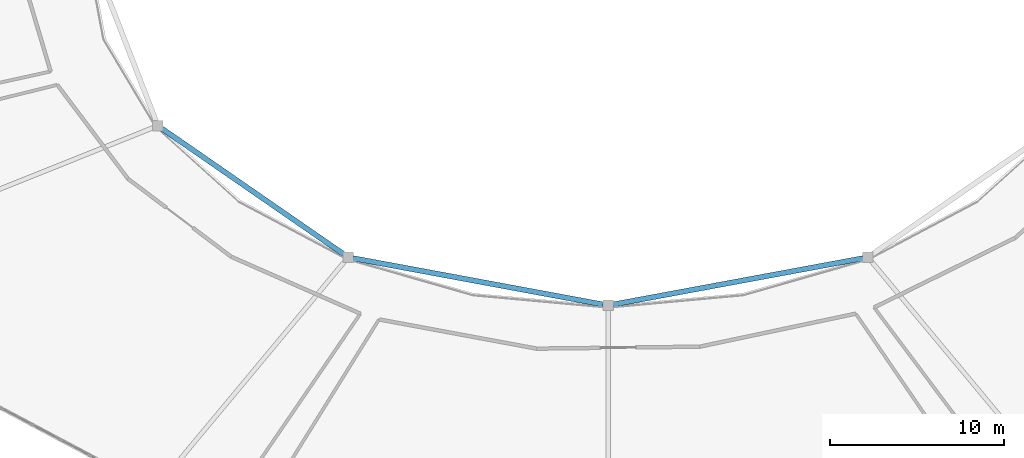
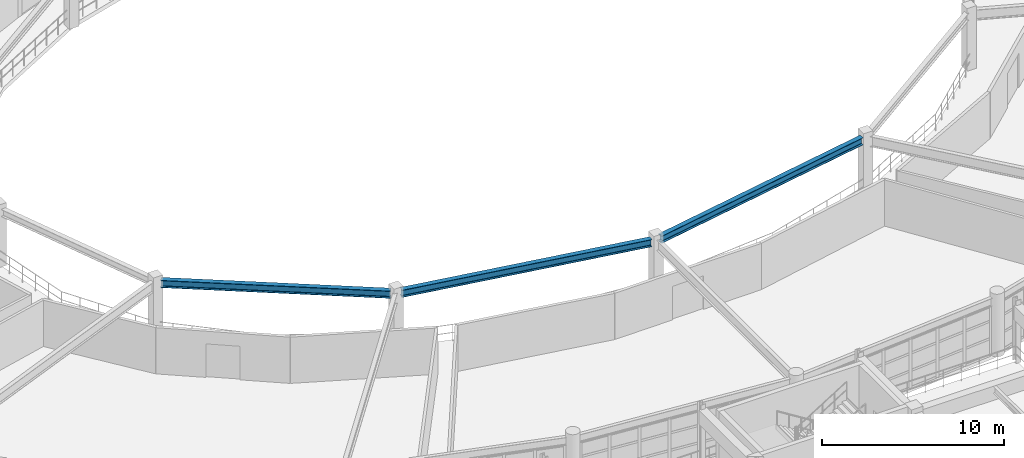
# One storey, part 34 of 100: 3 beams.
"""IFC4 building model written with IfcOpenShell, lengths in metres."""

from ifc_helpers import new_model, si_unit, direction, frame, origin, origin_2d, place, context, subcontext, project, spatial, i_section, extrude, material, material_profile, profile_set, type_object, element, save


model = new_model("IFC4")

# Units and contexts
model_context = context("Model", 3, precision=1e-05, world=origin(), true_north=direction((0.0, 1.0)))
body_context = subcontext(model_context, "Body", "Model", "MODEL_VIEW")
ifc_project = project(units=[si_unit("LENGTHUNIT", "METRE"), si_unit("AREAUNIT", "SQUARE_METRE"), si_unit("VOLUMEUNIT", "CUBIC_METRE"), si_unit("PLANEANGLEUNIT", "RADIAN"), si_unit("MASSUNIT", "GRAM", prefix="KILO")], contexts=[model_context])

# Site, building, storey
site_placement = place(None, origin())
site = spatial("IfcSite", under=ifc_project, at=site_placement, CompositionType="ELEMENT")
building_placement = place(site_placement, origin())
building = spatial("IfcBuilding", under=site, at=building_placement, Name="Kivolera Central Railway Station", CompositionType="ELEMENT")
storey_placement = place(building_placement, frame((0.0, 0.0, 5.39990234375)))
storey = spatial("IfcBuildingStorey", under=building, at=storey_placement, Name="L01", CompositionType="ELEMENT", Elevation=5.39990234375)

# Beams
ifc_material = material(Name="Steel S355", Category="steel")
ifc_material_profile = material_profile(ifc_material, i_section(OverallWidth=0.300048828125, OverallDepth=0.489990234375, WebThickness=0.011962890625, FlangeThickness=0.02294921875, FilletRadius=0.027099609375, at=origin_2d()), Name="HEA 500")
ifc_profile_set = profile_set([ifc_material_profile], Name="Steel S355")
beam_type = type_object("IfcBeamType", Name="BM-SHD-HEA500", PredefinedType="BEAM", material=ifc_profile_set)
beam_placement = place(storey_placement, frame((38.431884765625, 79.533935546875, 3.633056640625), z_axis=(0.822617656818, -0.568594926719, 0.0), x_axis=(0.568594926719, 0.822617656818, 0.0)))
element("IfcBeam", 1, at=beam_placement, inside=storey, type_object=beam_type, Name="L01 Oval Inner Gallery Ring Beam 08", PredefinedType="BEAM", context=body_context, shape_type="SweptSolid", body=[
    extrude(i_section(OverallWidth=0.300048828125, OverallDepth=0.489990234375, WebThickness=0.011962890625, FlangeThickness=0.02294921875, FilletRadius=0.027099609375, at=origin_2d()), origin(), (0.0, 0.0, 1.0), 12.6767578125),
])
for number, where, z_axis, x_axis, name in (
    (2, (49.386962890625, 72.10693359375, 3.633056640625), (0.98326844575, -0.18216246483, 0.0), (0.18216246483, 0.98326844575, 0.0), "L01 Oval Inner Gallery Ring Beam 09"),
    (3, (64.287109375, 69.452880859375, 3.633056640625), (0.98326844575, 0.18216246483, 0.0), (-0.18216246483, 0.98326844575, 0.0), "L01 Oval Inner Gallery Ring Beam 10"),
):
    element("IfcBeam", number, at=place(storey_placement, frame(where, z_axis=z_axis, x_axis=x_axis)), inside=storey, type_object=beam_type, Name=name, PredefinedType="BEAM", context=body_context, shape_type="SweptSolid", body=[
        extrude(i_section(OverallWidth=0.300048828125, OverallDepth=0.489990234375, WebThickness=0.011962890625, FlangeThickness=0.02294921875, FilletRadius=0.027099609375, at=origin_2d()), origin(), (0.0, 0.0, 1.0), 14.569580078125),
    ])

save(model, "model.ifc")
